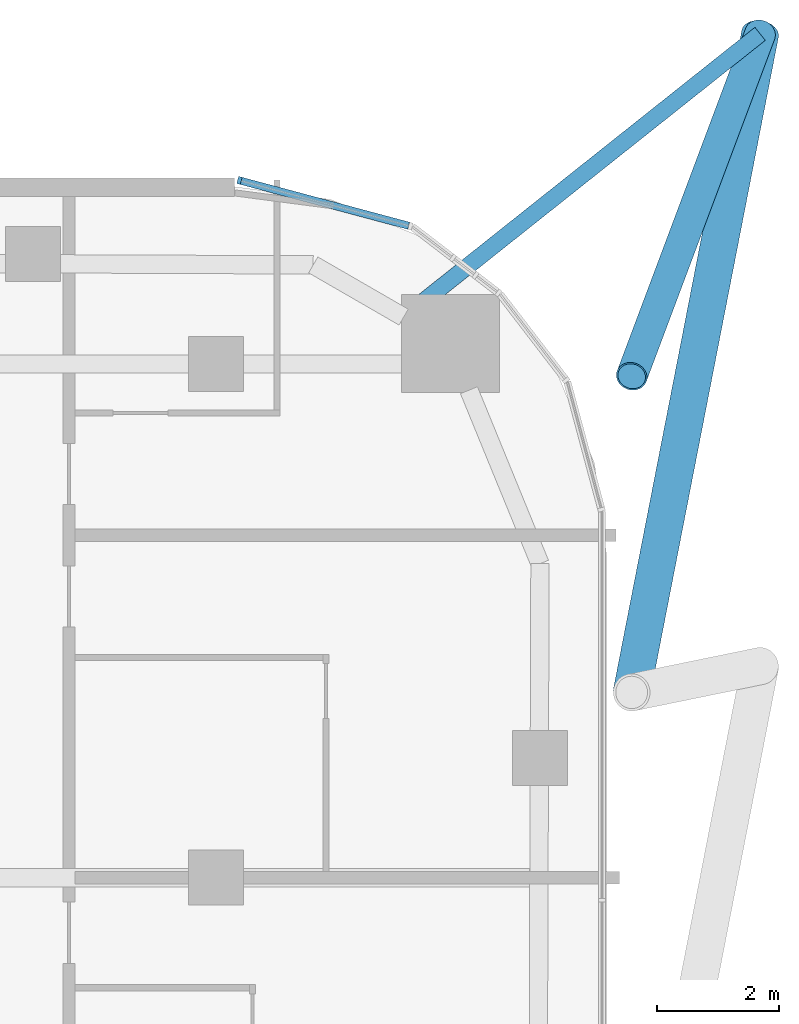
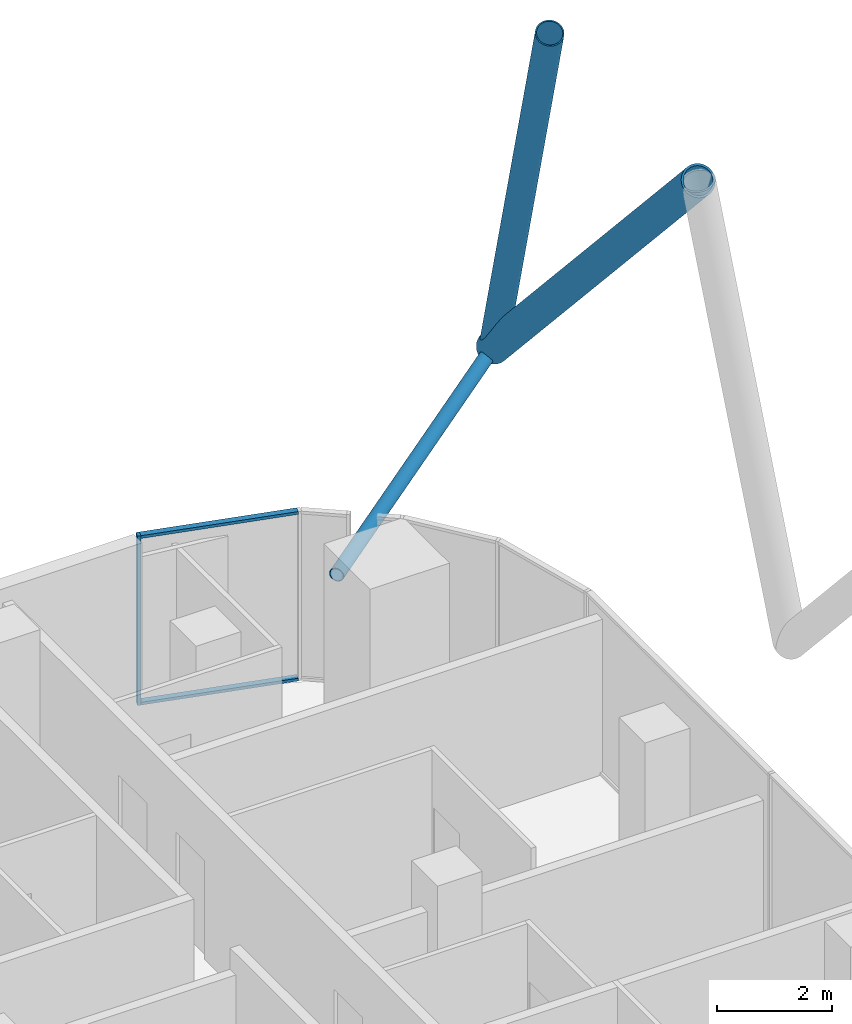
# One storey, part 16 of 34: 6 members, 1 element without a shape of its own.
"""IFC4 building model written with IfcOpenShell, lengths in metres."""

from ifc_helpers import new_model, si_unit, direction, frame, origin, origin_2d, place, context, subcontext, project, spatial, rectangle, hollow_circle, extrude, material, layer, layer_set, material_profile, profile_set, type_object, element, aggregate, save


model = new_model("IFC4")

# Units and contexts
model_context = context("Model", 3, precision=1e-05, world=origin(), true_north=direction((0.0, 1.0)))
body_context = subcontext(model_context, "Body", "Model", "MODEL_VIEW")
ifc_project = project(units=[si_unit("LENGTHUNIT", "METRE"), si_unit("AREAUNIT", "SQUARE_METRE"), si_unit("VOLUMEUNIT", "CUBIC_METRE"), si_unit("PLANEANGLEUNIT", "RADIAN"), si_unit("MASSUNIT", "GRAM", prefix="KILO")], contexts=[model_context])

# Site, building, storey
site_placement = place(None, origin())
site = spatial("IfcSite", under=ifc_project, at=site_placement, CompositionType="ELEMENT")
building_placement = place(site_placement, origin())
building = spatial("IfcBuilding", under=site, at=building_placement, Name="Marenta Gate Hotel Tower", CompositionType="ELEMENT")
storey_placement = place(building_placement, frame((0.0, 0.0, 166.10009765625)))
storey = spatial("IfcBuildingStorey", under=building, at=storey_placement, Name="L39", CompositionType="ELEMENT", Elevation=166.10009765625)

# Members
ifc_material_1 = material(Name="Steel S355J2W", Category="steel")
ifc_material_profile_1 = material_profile(ifc_material_1, hollow_circle(Radius=0.25390625, WallThickness=0.02490234375, at=origin_2d()), Name="CHS 508x25")
ifc_profile_set_1 = profile_set([ifc_material_profile_1], Name="Steel S355J2W")
member_type_1 = type_object("IfcMemberType", Name="Diagrid corner post Z2 CHS 508x25", PredefinedType="POST", material=ifc_profile_set_1)
member_1_placement = place(storey_placement, frame((29.89990234375, 30.60009765625, 3.139892578125), z_axis=(-0.170090510133, -0.453614245022, 0.874816172162), x_axis=(0.936339242498, -0.351096600607, 0.0)))
element("IfcMember", 1, at=member_1_placement, inside=storey, type_object=member_type_1, Name="L39-DR-1", PredefinedType="POST", context=body_context, shape_type="SweptSolid", body=[
    extrude(hollow_circle(Radius=0.25390625, WallThickness=0.02490234375, at=origin_2d()), origin(), (0.0, 0.0, 1.0), 12.345458984375),
])
ifc_material_2 = material(Name="Steel S355J2W", Category="steel")
ifc_material_profile_2 = material_profile(ifc_material_2, hollow_circle(Radius=0.304931640625, WallThickness=0.0400390625, at=origin_2d()), Name="CHS 610x40")
ifc_profile_set_2 = profile_set([ifc_material_profile_2], Name="Steel S355J2W")
member_type_2 = type_object("IfcMemberType", Name="Diagrid diagonal T2 CHS 610x40", PredefinedType="BRACE", material=ifc_profile_set_2)
member_2_placement = place(storey_placement, frame((29.89990234375, 30.60009765625, 3.139892578125), z_axis=(-0.136387552473, -0.699523368187, 0.701473800573), x_axis=(0.981518224839, -0.191368686853, 0.0)))
element("IfcMember", 2, at=member_2_placement, inside=storey, type_object=member_type_2, Name="L39-DG-1", PredefinedType="BRACE", context=body_context, shape_type="SweptSolid", body=[
    extrude(hollow_circle(Radius=0.304931640625, WallThickness=0.0400390625, at=origin_2d()), origin(), (0.0, 0.0, 1.0), 15.396240234375),
])
ifc_material_3 = material(Name="Steel S355J2W", Category="steel")
ifc_material_profile_3 = material_profile(ifc_material_3, hollow_circle(Radius=0.136474609375, WallThickness=0.012451171875, at=origin_2d()), Name="CHS 273x12.5")
ifc_profile_set_3 = profile_set([ifc_material_profile_3], Name="Steel S355J2W")
member_type_3 = type_object("IfcMemberType", Name="Floor tie CHS 273x12.5", PredefinedType="STRUT", material=ifc_profile_set_3)
member_3_placement = place(storey_placement, frame((29.89990234375, 30.60009765625, 3.139892578125), z_axis=(-0.782925845019, -0.622115038559, 0.0), x_axis=(0.622115038559, -0.782925845019, 0.0)))
element("IfcMember", 3, at=member_3_placement, inside=storey, type_object=member_type_3, Name="L39-DR-7", PredefinedType="STRUT", context=body_context, shape_type="SweptSolid", body=[
    extrude(hollow_circle(Radius=0.136474609375, WallThickness=0.012451171875, at=origin_2d()), origin(), (0.0, 0.0, 1.0), 7.429931640625),
])

# Curtain wall, members
ifc_material_4 = material(Name="Tinted insulated glass in bronze anodised frame", Category="glass")
ifc_layer = layer(ifc_material_4, 0.1201171875)
ifc_layer_set = layer_set([ifc_layer], Name="Tinted insulated glass in bronze anodised frame")
curtain_wall_type = type_object("IfcCurtainWallType", Name="Tower unitised curtain wall CW1", PredefinedType="NOTDEFINED", material=ifc_layer_set)
curtain_wall_placement = place(storey_placement, origin())
curtain_wall = element("IfcCurtainWall", 4, at=curtain_wall_placement, inside=storey, type_object=curtain_wall_type, Name="CW1 run G25", PredefinedType="NOTDEFINED")
ifc_material_5 = material(Name="Bronze anodised aluminium", Category="aluminium")
ifc_material_profile_4 = material_profile(ifc_material_5, rectangle(XDim=0.1201171875, YDim=0.06005859375, at=origin_2d()), Name="Mullion CW1 60x120 bronze anodised aluminium")
ifc_profile_set_4 = profile_set([ifc_material_profile_4], Name="Bronze anodised aluminium")
member_type_4 = type_object("IfcMemberType", Name="Mullion CW1 60x120 bronze anodised aluminium", PredefinedType="MULLION", material=ifc_profile_set_4)
member_4_placement = place(storey_placement, frame((21.385498046875, 28.203125, 0.0), z_axis=(0.0, 0.0, 1.0), x_axis=(-0.258805989975, -0.965929324305, 0.0)))
member_4 = element("IfcMember", 5, at=member_4_placement, type_object=member_type_4, Name="CW1 mullion 2", PredefinedType="MULLION", context=body_context, shape_type="SweptSolid", body=[
    extrude(rectangle(XDim=0.1201171875, YDim=0.06005859375, at=origin_2d()), origin(), (0.0, 0.0, 1.0), 3.599853515625),
])
ifc_material_6 = material(Name="Bronze anodised aluminium", Category="aluminium")
ifc_material_profile_5 = material_profile(ifc_material_6, rectangle(XDim=0.1201171875, YDim=0.06005859375, at=origin_2d()), Name="Transom CW1 60x120 bronze anodised aluminium")
ifc_profile_set_5 = profile_set([ifc_material_profile_5], Name="Bronze anodised aluminium")
member_type_5 = type_object("IfcMemberType", Name="Transom CW1 60x120 bronze anodised aluminium", PredefinedType="USERDEFINED", material=ifc_profile_set_5)
member_5_placement = place(storey_placement, frame((24.1533203125, 27.461669921875, 0.02978515625), z_axis=(-0.965922684272, 0.258830770986, 0.0), x_axis=(-0.258830770986, -0.965922684272, 0.0)))
member_5 = element("IfcMember", 6, at=member_5_placement, type_object=member_type_5, Name="CW1 transom 1.1", ObjectType="TRANSOM", PredefinedType="USERDEFINED", context=body_context, shape_type="SweptSolid", body=[
    extrude(rectangle(XDim=0.1201171875, YDim=0.06005859375, at=origin_2d()), origin(), (0.0, 0.0, 1.0), 2.83544921875),
])
member_6_placement = place(storey_placement, frame((24.1533203125, 27.461669921875, 3.56982421875), z_axis=(-0.965922684272, 0.258830770986, 0.0), x_axis=(-0.258830770986, -0.965922684272, 0.0)))
member_6 = element("IfcMember", 7, at=member_6_placement, type_object=member_type_5, Name="CW1 transom 1.2", ObjectType="TRANSOM", PredefinedType="USERDEFINED", context=body_context, shape_type="SweptSolid", body=[
    extrude(rectangle(XDim=0.1201171875, YDim=0.06005859375, at=origin_2d()), origin(), (0.0, 0.0, 1.0), 2.83544921875),
])
aggregate(curtain_wall, [member_4, member_5, member_6])

save(model, "model.ifc")
